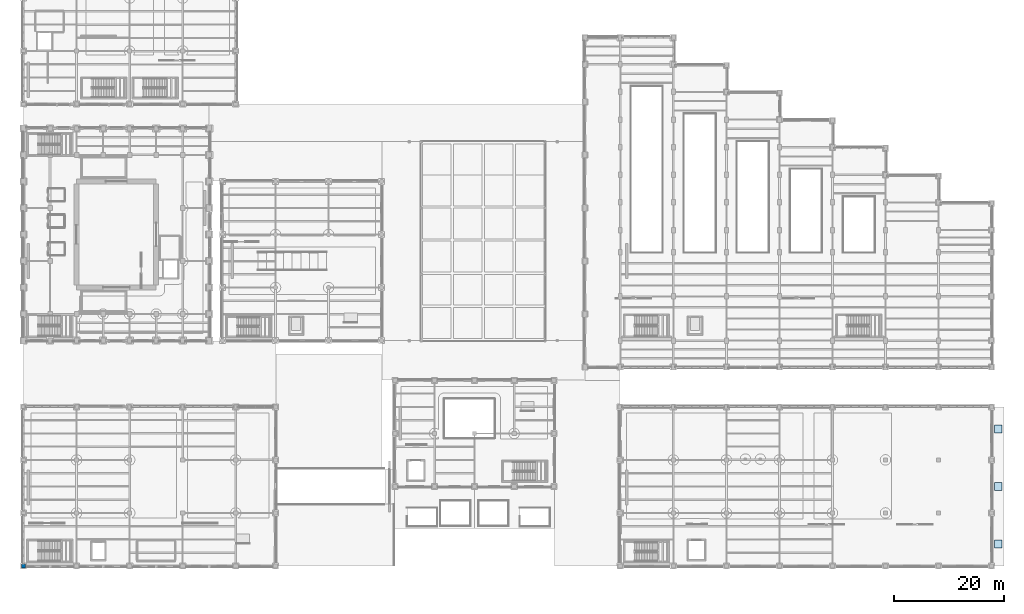
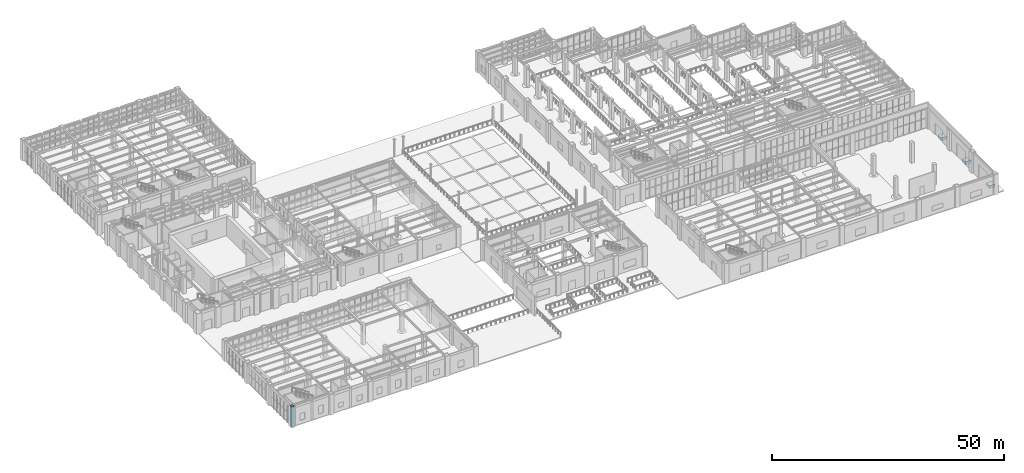
# One storey, part 1 of 164: 3 footings, 1 column.
"""IFC4 building model written with IfcOpenShell, lengths in metres."""

from ifc_helpers import new_model, si_unit, direction, frame, origin, origin_with_axes, origin_2d, place, context, subcontext, project, spatial, rectangle, extrude, material, material_profile, profile_set, type_object, element, save


model = new_model("IFC4")

# Units and contexts
model_context = context("Model", 3, precision=1e-05, world=origin(), true_north=direction((0.0, 1.0)))
body_context = subcontext(model_context, "Body", "Model", "MODEL_VIEW")
ifc_project = project(units=[si_unit("LENGTHUNIT", "METRE"), si_unit("AREAUNIT", "SQUARE_METRE"), si_unit("VOLUMEUNIT", "CUBIC_METRE"), si_unit("PLANEANGLEUNIT", "RADIAN"), si_unit("MASSUNIT", "GRAM", prefix="KILO")], contexts=[model_context])

# Site, building, storey
site_placement = place(None, origin())
site = spatial("IfcSite", under=ifc_project, at=site_placement, CompositionType="ELEMENT")
building_placement = place(site_placement, origin())
building = spatial("IfcBuilding", under=site, at=building_placement, Name="Mavantir Sound Aquarium", CompositionType="ELEMENT")
storey_placement = place(building_placement, origin())
storey = spatial("IfcBuildingStorey", under=building, at=storey_placement, Name="L00", CompositionType="ELEMENT", Elevation=0.0)

# Footings
ifc_material = material(Name="Concrete C40/50", Category="concrete")
footing_type = type_object("IfcFootingType", Name="FDN-PAD-DCK", PredefinedType="PAD_FOOTING", material=ifc_material)
for number, where, z_axis, x_axis, name in (
    (1, (176.39990234375, 4.0, -0.9501953125), (0.0, 0.0, 1.0), (1.0, 0.0, 0.0), "Loading dock apron footing 1"),
    (2, (176.39990234375, 14.39990234375, -0.9501953125), (0.0, 0.0, 1.0), (1.0, 0.0, 0.0), "Loading dock apron footing 2"),
    (3, (176.39990234375, 24.800048828125, -0.9501953125), (0.0, 0.0, 1.0), (1.0, 0.0, 0.0), "Loading dock apron footing 3"),
):
    element("IfcFooting", number, at=place(storey_placement, frame(where, z_axis=z_axis, x_axis=x_axis)), inside=storey, type_object=footing_type, Name=name, PredefinedType="PAD_FOOTING", context=body_context, shape_type="SweptSolid", body=[
        extrude(rectangle(XDim=1.39990234375, YDim=1.39990234375, at=origin_2d()), origin(), (0.0, 0.0, 1.0), 0.699951171875),
    ])

# Column
ifc_material_profile = material_profile(ifc_material, rectangle(XDim=0.75, YDim=0.75, at=origin_2d()), Name="RC 750X750")
ifc_profile_set = profile_set([ifc_material_profile], Name="Concrete C40/50")
column_type = type_object("IfcColumnType", Name="COL-RC750-E", PredefinedType="COLUMN", material=ifc_profile_set)
column_placement = place(storey_placement, origin_with_axes())
element("IfcColumn", 4, at=column_placement, inside=storey, type_object=column_type, Name="L00 column RC-C75 (V3)", PredefinedType="COLUMN", context=body_context, shape_type="SweptSolid", body=[
    extrude(rectangle(XDim=0.75, YDim=0.75, at=origin_2d()), origin(), (0.0, 0.0, 1.0), 5.39990234375),
])

save(model, "model.ifc")
